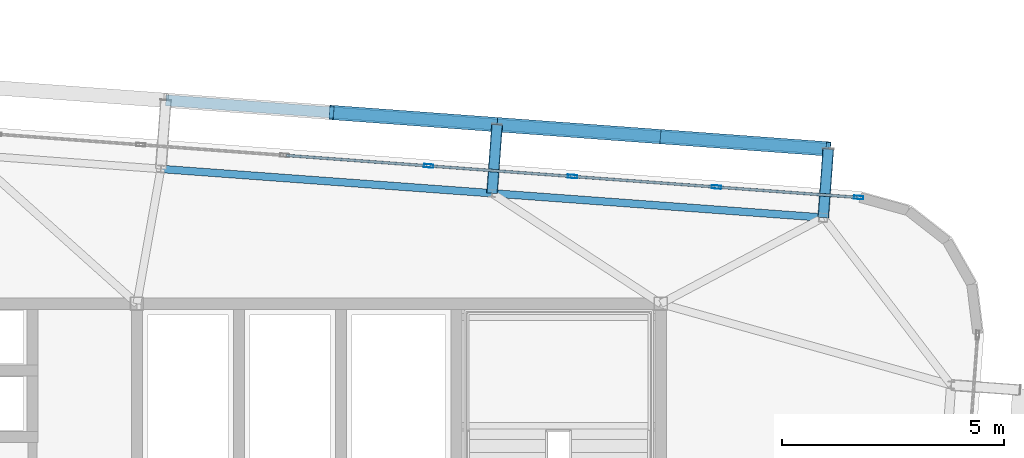
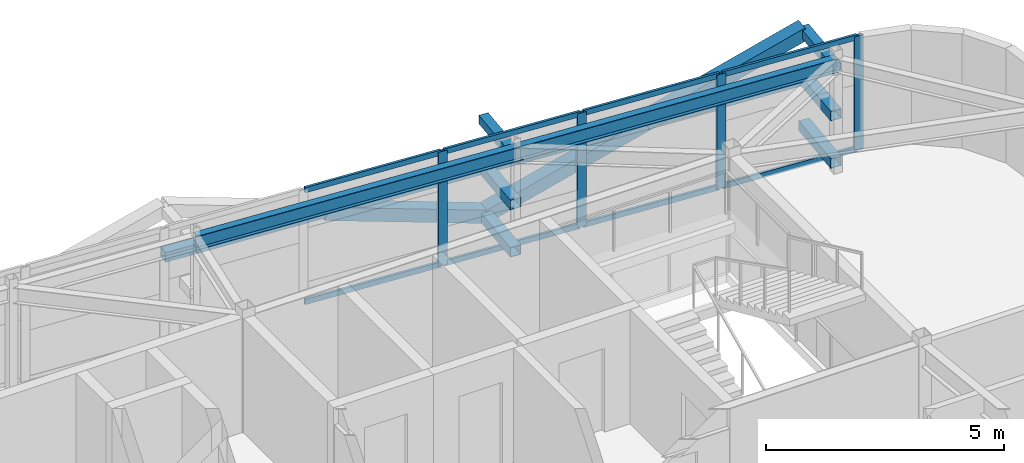
# One storey, part 28 of 42: 23 members, 2 beams, 1 element without a shape of its own.
"""IFC4 building model written with IfcOpenShell, lengths in metres."""

from ifc_helpers import new_model, si_unit, direction, frame, origin, origin_2d, place, context, subcontext, project, spatial, hollow_rectangle, i_section, extrude, source, transform, mapped, material, layer, layer_set, material_profile, profile_set, type_object, element, aggregate, save


model = new_model("IFC4")

# Units and contexts
model_context = context("Model", 3, precision=1e-05, world=origin(), true_north=direction((0.0, 1.0)))
body_context = subcontext(model_context, "Body", "Model", "MODEL_VIEW")
ifc_project = project(units=[si_unit("LENGTHUNIT", "METRE"), si_unit("AREAUNIT", "SQUARE_METRE"), si_unit("VOLUMEUNIT", "CUBIC_METRE"), si_unit("PLANEANGLEUNIT", "RADIAN"), si_unit("MASSUNIT", "GRAM", prefix="KILO")], contexts=[model_context])

# Site, building, storey
site_placement = place(None, origin())
site = spatial("IfcSite", under=ifc_project, at=site_placement, CompositionType="ELEMENT")
building_placement = place(site_placement, origin())
building = spatial("IfcBuilding", under=site, at=building_placement, Name="Taldren Reach Tower", CompositionType="ELEMENT")
storey_placement = place(building_placement, frame((0.0, 0.0, 217.699951171875)))
storey = spatial("IfcBuildingStorey", under=building, at=storey_placement, Name="L66", CompositionType="ELEMENT", Elevation=217.699951171875)

# Members
ifc_material_1 = material(Name="Steel Gr 350 (C350L0)", Category="steel")
ifc_material_profile_1 = material_profile(ifc_material_1, hollow_rectangle(XDim=0.25, YDim=0.25, WallThickness=0.010009765625, at=origin_2d()), Name="250x250x10.0SHS")
ifc_profile_set_1 = profile_set([ifc_material_profile_1], Name="Steel Gr 350 (C350L0)")
member_type_1 = type_object("IfcMemberType", Name="MB-POST250", PredefinedType="POST", material=ifc_profile_set_1)
shared_shape_1 = source(origin(), body_context, "Body", "SweptSolid", [
    extrude(hollow_rectangle(XDim=0.25, YDim=0.25, WallThickness=0.010009765625, at=origin_2d()), origin(), (0.0, 0.0, 1.0), 1.550048828125),
])
for number, where, z_axis, x_axis, name in (
    (1, (47.199462890625, 34.487548828125, 0.219970703125), (0.07323929162, 0.997314396849, 0.0), (-0.997314396849, 0.07323929162, 0.0), "Exoskeleton base diaphragm tie strut B5-N5 L66"),
    (2, (54.659423828125, 33.939697265625, 0.219970703125), (0.07323929162, 0.997314396849, 0.0), (-0.997314396849, 0.07323929162, 0.0), "Exoskeleton base diaphragm tie strut B5-N6 L66"),
    (3, (47.199462890625, 34.487548828125, 1.43505859375), (0.07323929162, 0.997314396849, 0.0), (-0.997314396849, 0.07323929162, 0.0), "Exoskeleton mid-tier diaphragm tie B5-N5 L66"),
    (4, (54.659423828125, 33.939697265625, 1.43505859375), (0.07323929162, 0.997314396849, 0.0), (-0.997314396849, 0.07323929162, 0.0), "Exoskeleton mid-tier diaphragm tie B5-N6 L66"),
):
    element("IfcMember", number, at=place(storey_placement, frame(where, z_axis=z_axis, x_axis=x_axis)), inside=storey, type_object=member_type_1, Name=name, PredefinedType="POST", context=body_context, shape_type="MappedRepresentation", body=[
        mapped(shared_shape_1, transform((0.0, 0.0, 0.0), scale=1.0)),
    ])
ifc_material_2 = material(Name="Steel Gr 450 (C450L0)", Category="steel")
ifc_material_profile_2 = material_profile(ifc_material_2, hollow_rectangle(XDim=0.219970703125, YDim=0.219970703125, WallThickness=0.00830078125, at=origin_2d()), Name="220x220x8.2SHS")
ifc_profile_set_2 = profile_set([ifc_material_profile_2], Name="Steel Gr 450 (C450L0)")
member_type_2 = type_object("IfcMemberType", Name="MB-TIE219", PredefinedType="STRUT", material=ifc_profile_set_2)
shared_shape_2 = source(origin(), body_context, "Body", "SweptSolid", [
    extrude(hollow_rectangle(XDim=0.219970703125, YDim=0.219970703125, WallThickness=0.00830078125, at=origin_2d()), origin(), (0.0, 0.0, 1.0), 1.550048828125),
])
for number, where, z_axis, x_axis, name in (
    (5, (47.199462890625, 34.487548828125, 2.650146484375), (0.07323929162, 0.997314396849, 0.0), (-0.997314396849, 0.07323929162, 0.0), "Exoskeleton diaphragm tie strut B5-N5 L66"),
    (6, (54.659423828125, 33.939697265625, 2.650146484375), (0.07323929162, 0.997314396849, 0.0), (-0.997314396849, 0.07323929162, 0.0), "Exoskeleton diaphragm tie strut B5-N6 L66"),
):
    element("IfcMember", number, at=place(storey_placement, frame(where, z_axis=z_axis, x_axis=x_axis)), inside=storey, type_object=member_type_2, Name=name, PredefinedType="STRUT", context=body_context, shape_type="MappedRepresentation", body=[
        mapped(shared_shape_2, transform((0.0, 0.0, 0.0), scale=1.0)),
    ])

# Beams
ifc_material_3 = material(Name="Steel Gr 350 (350PLUS)", Category="steel")
ifc_material_profile_3 = material_profile(ifc_material_3, i_section(OverallWidth=0.172119140625, OverallDepth=0.35888671875, WebThickness=0.008056640625, FlangeThickness=0.012939453125, at=origin_2d()), Name="360UB56.7")
ifc_profile_set_3 = profile_set([ifc_material_profile_3], Name="Steel Gr 350 (350PLUS)")
beam_type = type_object("IfcBeamType", Name="SP-UB360", PredefinedType="SPANDREL", material=ifc_profile_set_3)
shared_shape_3 = source(origin(), body_context, "Body", "SweptSolid", [
    extrude(i_section(OverallWidth=0.172119140625, OverallDepth=0.35888671875, WebThickness=0.008056640625, FlangeThickness=0.012939453125, at=origin_2d()), origin(), (0.0, 0.0, 1.0), 7.47998046875),
])
for number, where, z_axis, x_axis, name in (
    (7, (54.659423828125, 33.939697265625, 2.75048828125), (-0.997314220642, 0.07324169103, 0.0), (-0.07324169103, -0.997314220642, 0.0), "Perimeter spandrel B5 N6-N5 L66"),
    (8, (47.199462890625, 34.487548828125, 2.75048828125), (-0.997314220642, 0.07324169103, 0.0), (-0.07324169103, -0.997314220642, 0.0), "Perimeter spandrel B5 N5-N4 L66"),
):
    element("IfcBeam", number, at=place(storey_placement, frame(where, z_axis=z_axis, x_axis=x_axis)), inside=storey, type_object=beam_type, Name=name, PredefinedType="SPANDREL", context=body_context, shape_type="MappedRepresentation", body=[
        mapped(shared_shape_3, transform((0.0, 0.0, 0.0), scale=1.0)),
    ])

# Members
ifc_material_profile_4 = material_profile(ifc_material_2, hollow_rectangle(XDim=0.324951171875, YDim=0.324951171875, WallThickness=0.0126953125, at=origin_2d()), Name="325x325x12.7SHS")
ifc_profile_set_4 = profile_set([ifc_material_profile_4], Name="Steel Gr 450 (C450L0)")
member_type_3 = type_object("IfcMemberType", Name="MB-BR324", PredefinedType="BRACE", material=ifc_profile_set_4)
shared_shape_4 = source(origin(), body_context, "Body", "SweptSolid", [
    extrude(hollow_rectangle(XDim=0.324951171875, YDim=0.324951171875, WallThickness=0.0126953125, at=origin_2d()), origin(), (0.0, 0.0, 1.0), 3.932373046875),
])
for number, where, z_axis, x_axis, name in (
    (9, (47.31298828125, 36.033447265625, 0.219970703125), (-0.948511132845, 0.069657644394, 0.308989390507), (-0.07324169103, -0.997314220642, 0.0), "Exoskeleton Diagrid Brace B5-N4 L66"),
    (10, (47.31298828125, 36.033447265625, 0.219970703125), (0.948511132845, -0.069657644394, 0.308989390507), (0.07324169103, 0.997314220642, 0.0), "Exoskeleton Diagrid Brace B5-N5 L66"),
    (11, (51.04296875, 35.759521484375, 1.43505859375), (0.948511132845, -0.069657644394, 0.308989390507), (0.07324169103, 0.997314220642, 0.0), "Exoskeleton Diagrid Brace B5-N5 L66"),
):
    element("IfcMember", number, at=place(storey_placement, frame(where, z_axis=z_axis, x_axis=x_axis)), inside=storey, type_object=member_type_3, Name=name, PredefinedType="BRACE", context=body_context, shape_type="MappedRepresentation", body=[
        mapped(shared_shape_4, transform((0.0, 0.0, 0.0), scale=1.0)),
    ])
shared_shape_5 = source(origin(), body_context, "Body", "SweptSolid", [
    extrude(hollow_rectangle(XDim=0.25, YDim=0.25, WallThickness=0.010009765625, at=origin_2d()), origin(), (0.0, 0.0, 1.0), 7.47998046875),
])
for number, where, z_axis, x_axis, name in (
    (12, (39.85302734375, 36.581298828125, 1.43505859375), (0.997314220642, -0.07324169103, 0.0), (0.07324169103, 0.997314220642, 0.0), "Exoskeleton mid-height ring chord B5-N4 L66"),
    (13, (47.31298828125, 36.033447265625, 1.43505859375), (0.997314220642, -0.07324169103, 0.0), (0.07324169103, 0.997314220642, 0.0), "Exoskeleton mid-height ring chord B5-N5 L66"),
):
    element("IfcMember", number, at=place(storey_placement, frame(where, z_axis=z_axis, x_axis=x_axis)), inside=storey, type_object=member_type_1, Name=name, PredefinedType="POST", context=body_context, shape_type="MappedRepresentation", body=[
        mapped(shared_shape_5, transform((0.0, 0.0, 0.0), scale=1.0)),
    ])

# Curtain wall, members
ifc_material_4 = material(Name="Aluminium and Low-E Glass Unitised System", Category="aluminium")
ifc_layer = layer(ifc_material_4, 0.159912109375)
ifc_layer_set = layer_set([ifc_layer], Name="Aluminium and Low-E Glass Unitised System")
curtain_wall_type = type_object("IfcCurtainWallType", Name="CW-SYS-6", PredefinedType="NOTDEFINED", material=ifc_layer_set)
curtain_wall_placement = place(storey_placement, origin())
curtain_wall = element("IfcCurtainWall", 14, at=curtain_wall_placement, inside=storey, type_object=curtain_wall_type, Name="Unitised curtain wall CW-L66-N", PredefinedType="NOTDEFINED")
ifc_material_5 = material(Name="Anodised Aluminium 6063-T6", Category="aluminium")
ifc_material_profile_5 = material_profile(ifc_material_5, hollow_rectangle(XDim=0.074951171875, YDim=0.2099609375, WallThickness=0.00439453125, at=origin_2d()), Name="ALU-210x75x4.5RHS")
ifc_profile_set_5 = profile_set([ifc_material_profile_5], Name="Anodised Aluminium 6063-T6")
member_type_4 = type_object("IfcMemberType", Name="CW-MUL-200", PredefinedType="MULLION", material=ifc_profile_set_5)
shared_shape_6 = source(origin(), body_context, "Body", "SweptSolid", [
    extrude(hollow_rectangle(XDim=0.074951171875, YDim=0.2099609375, WallThickness=0.00439453125, at=origin_2d()), origin(), (0.0, 0.0, 1.0), 2.929931640625),
])
member_1_placement = place(storey_placement, frame((55.45703125, 34.392578125, 0.0), z_axis=(0.0, 0.0, 1.0), x_axis=(-0.073238213716, -0.997314476006, 0.0)))
member_1 = element("IfcMember", 15, at=member_1_placement, type_object=member_type_4, Name="CW-6 mullion 1", PredefinedType="MULLION", context=body_context, shape_type="MappedRepresentation", body=[
    mapped(shared_shape_6, transform((0.0, 0.0, 0.0), scale=1.0)),
])
member_2_placement = place(storey_placement, frame((52.253173828125, 34.6279296875, 0.0), z_axis=(0.0, 0.0, 1.0), x_axis=(-0.073238213716, -0.997314476006, 0.0)))
member_2 = element("IfcMember", 16, at=member_2_placement, type_object=member_type_4, Name="CW-6 mullion 2", PredefinedType="MULLION", context=body_context, shape_type="MappedRepresentation", body=[
    mapped(shared_shape_6, transform((0.0, 0.0, 0.0), scale=1.0)),
])
member_3_placement = place(storey_placement, frame((49.011962890625, 34.865966796875, 0.0), z_axis=(0.0, 0.0, 1.0), x_axis=(-0.073238213716, -0.997314476006, 0.0)))
member_3 = element("IfcMember", 17, at=member_3_placement, type_object=member_type_4, Name="CW-6 mullion 3", PredefinedType="MULLION", context=body_context, shape_type="MappedRepresentation", body=[
    mapped(shared_shape_6, transform((0.0, 0.0, 0.0), scale=1.0)),
])
member_4_placement = place(storey_placement, frame((45.770751953125, 35.103759765625, 0.0), z_axis=(0.0, 0.0, 1.0), x_axis=(-0.073238213716, -0.997314476006, 0.0)))
member_4 = element("IfcMember", 18, at=member_4_placement, type_object=member_type_4, Name="CW-6 mullion 4", PredefinedType="MULLION", context=body_context, shape_type="MappedRepresentation", body=[
    mapped(shared_shape_6, transform((0.0, 0.0, 0.0), scale=1.0)),
])
ifc_material_profile_6 = material_profile(ifc_material_5, hollow_rectangle(XDim=0.06005859375, YDim=0.135009765625, WallThickness=0.00341796875, at=origin_2d()), Name="ALU-135x60x3.5RHS")
ifc_profile_set_6 = profile_set([ifc_material_profile_6], Name="Anodised Aluminium 6063-T6")
member_type_5 = type_object("IfcMemberType", Name="CW-TRN-150", PredefinedType="USERDEFINED", material=ifc_profile_set_6)
shared_shape_7 = source(origin(), body_context, "Body", "SweptSolid", [
    extrude(hollow_rectangle(XDim=0.06005859375, YDim=0.135009765625, WallThickness=0.00341796875, at=origin_2d()), origin(), (0.0, 0.0, 1.0), 3.13720703125),
])
member_5_placement = place(storey_placement, frame((55.419677734375, 34.395263671875, 0.030029296875), z_axis=(-0.997315319572, 0.073226725633, 0.0), x_axis=(-0.073226725633, -0.997315319572, 0.0)))
member_5 = element("IfcMember", 19, at=member_5_placement, type_object=member_type_5, Name="CW-6 transom 1.1", ObjectType="TRANSOM", PredefinedType="USERDEFINED", context=body_context, shape_type="MappedRepresentation", body=[
    mapped(shared_shape_7, transform((0.0, 0.0, 0.0), scale=1.0)),
])
member_6_placement = place(storey_placement, frame((55.419677734375, 34.395263671875, 2.900146484375), z_axis=(-0.997315319572, 0.073226725633, 0.0), x_axis=(-0.073226725633, -0.997315319572, 0.0)))
member_6 = element("IfcMember", 20, at=member_6_placement, type_object=member_type_5, Name="CW-6 transom 1.2", ObjectType="TRANSOM", PredefinedType="USERDEFINED", context=body_context, shape_type="MappedRepresentation", body=[
    mapped(shared_shape_7, transform((0.0, 0.0, 0.0), scale=1.0)),
])
shared_shape_8 = source(origin(), body_context, "Body", "SweptSolid", [
    extrude(hollow_rectangle(XDim=0.06005859375, YDim=0.135009765625, WallThickness=0.00341796875, at=origin_2d()), origin(), (0.0, 0.0, 1.0), 3.175048828125),
])
member_7_placement = place(storey_placement, frame((52.2158203125, 34.630615234375, 0.030029296875), z_axis=(-0.99731704481, 0.073203224877, 0.0), x_axis=(-0.073203224877, -0.99731704481, 0.0)))
member_7 = element("IfcMember", 21, at=member_7_placement, type_object=member_type_5, Name="CW-6 transom 2.1", ObjectType="TRANSOM", PredefinedType="USERDEFINED", context=body_context, shape_type="MappedRepresentation", body=[
    mapped(shared_shape_8, transform((0.0, 0.0, 0.0), scale=1.0)),
])
member_8_placement = place(storey_placement, frame((52.2158203125, 34.630615234375, 2.900146484375), z_axis=(-0.99731704481, 0.073203224877, 0.0), x_axis=(-0.073203224877, -0.99731704481, 0.0)))
member_8 = element("IfcMember", 22, at=member_8_placement, type_object=member_type_5, Name="CW-6 transom 2.2", ObjectType="TRANSOM", PredefinedType="USERDEFINED", context=body_context, shape_type="MappedRepresentation", body=[
    mapped(shared_shape_8, transform((0.0, 0.0, 0.0), scale=1.0)),
])
member_9_placement = place(storey_placement, frame((48.974609375, 34.86865234375, 0.030029296875), z_axis=(-0.99731704481, 0.073203224877, 0.0), x_axis=(-0.073203224877, -0.99731704481, 0.0)))
member_9 = element("IfcMember", 23, at=member_9_placement, type_object=member_type_5, Name="CW-6 transom 3.1", ObjectType="TRANSOM", PredefinedType="USERDEFINED", context=body_context, shape_type="MappedRepresentation", body=[
    mapped(shared_shape_8, transform((0.0, 0.0, 0.0), scale=1.0)),
])
member_10_placement = place(storey_placement, frame((48.974609375, 34.86865234375, 2.900146484375), z_axis=(-0.99731704481, 0.073203224877, 0.0), x_axis=(-0.073203224877, -0.99731704481, 0.0)))
member_10 = element("IfcMember", 24, at=member_10_placement, type_object=member_type_5, Name="CW-6 transom 3.2", ObjectType="TRANSOM", PredefinedType="USERDEFINED", context=body_context, shape_type="MappedRepresentation", body=[
    mapped(shared_shape_8, transform((0.0, 0.0, 0.0), scale=1.0)),
])
member_11_placement = place(storey_placement, frame((45.7333984375, 35.106689453125, 0.030029296875), z_axis=(-0.99731704481, 0.073203224877, 0.0), x_axis=(-0.073203224877, -0.99731704481, 0.0)))
member_11 = element("IfcMember", 25, at=member_11_placement, type_object=member_type_5, Name="CW-6 transom 4.1", ObjectType="TRANSOM", PredefinedType="USERDEFINED", context=body_context, shape_type="MappedRepresentation", body=[
    mapped(shared_shape_8, transform((0.0, 0.0, 0.0), scale=1.0)),
])
member_12_placement = place(storey_placement, frame((45.7333984375, 35.106689453125, 2.900146484375), z_axis=(-0.99731704481, 0.073203224877, 0.0), x_axis=(-0.073203224877, -0.99731704481, 0.0)))
member_12 = element("IfcMember", 26, at=member_12_placement, type_object=member_type_5, Name="CW-6 transom 4.2", ObjectType="TRANSOM", PredefinedType="USERDEFINED", context=body_context, shape_type="MappedRepresentation", body=[
    mapped(shared_shape_8, transform((0.0, 0.0, 0.0), scale=1.0)),
])
aggregate(curtain_wall, [member_1, member_2, member_3, member_4, member_5, member_6, member_7, member_8, member_9, member_10, member_11, member_12])

save(model, "model.ifc")
